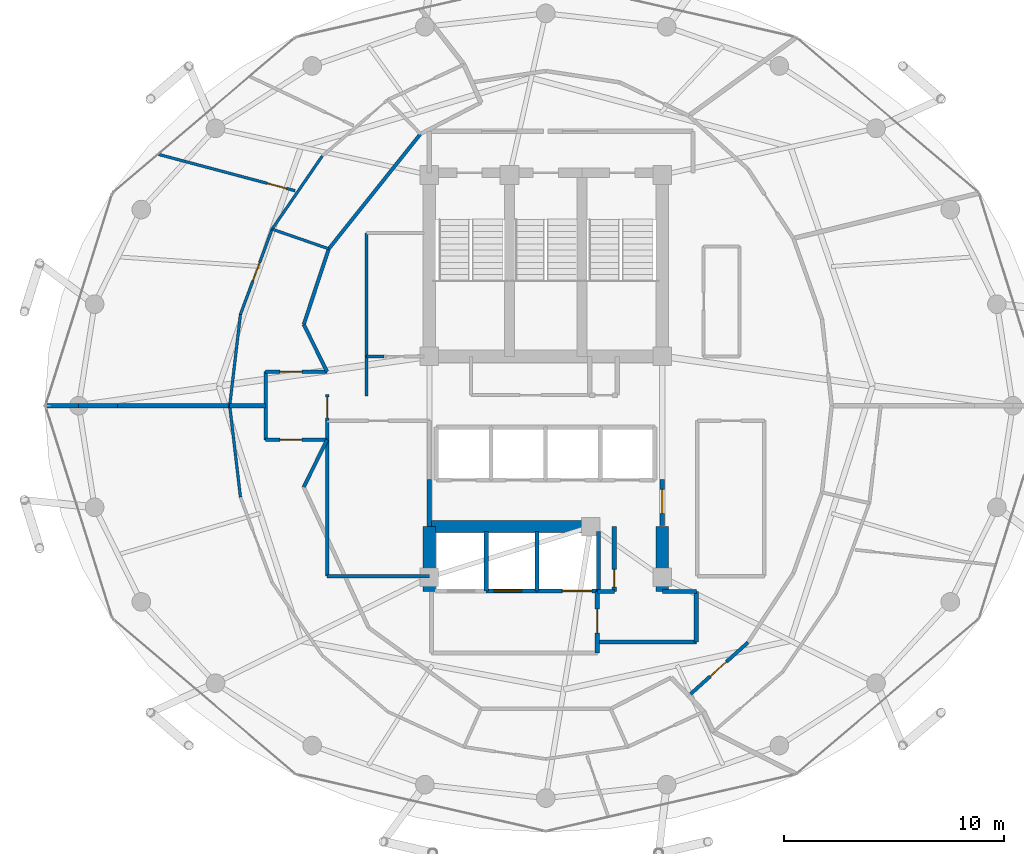
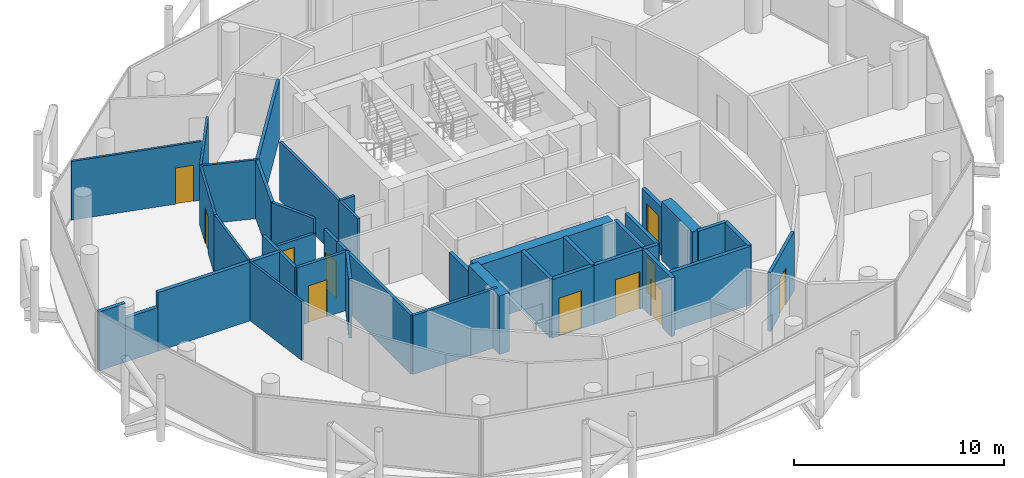
# One storey, part 23 of 28: 40 walls, 11 doors, 11 openings.
"""IFC4 building model written with IfcOpenShell, lengths in metres."""

from ifc_helpers import new_model, si_unit, direction, frame, frame_2d, origin, place, context, subcontext, project, spatial, rectangle, extrude, material, layer, layer_set, type_object, element, fill, save


model = new_model("IFC4")

# Units and contexts
model_context = context("Model", 3, precision=1e-05, world=origin(), true_north=direction((0.0, 1.0)))
body_context = subcontext(model_context, "Body", "Model", "MODEL_VIEW")
ifc_project = project(units=[si_unit("LENGTHUNIT", "METRE"), si_unit("AREAUNIT", "SQUARE_METRE"), si_unit("VOLUMEUNIT", "CUBIC_METRE"), si_unit("PLANEANGLEUNIT", "RADIAN"), si_unit("MASSUNIT", "GRAM", prefix="KILO")], contexts=[model_context])

# Site, building, storey
site_placement = place(None, origin())
site = spatial("IfcSite", under=ifc_project, at=site_placement, CompositionType="ELEMENT")
building_placement = place(site_placement, origin())
building = spatial("IfcBuilding", under=site, at=building_placement, Name="Nuhasar Tower", CompositionType="ELEMENT")
storey_placement = place(building_placement, frame((0.0, 0.0, 222.75)))
storey = spatial("IfcBuildingStorey", under=building, at=storey_placement, Name="L54", CompositionType="ELEMENT", Elevation=222.75)

# Walls
ifc_material_1 = material(Name="Concrete C55/67", Category="concrete")
ifc_layer_1 = layer(ifc_material_1, 0.550048828125)
ifc_layer_set_1 = layer_set([ifc_layer_1], Name="Concrete C55/67")
wall_type_1 = type_object("IfcWallType", Name="WL-CORE-550", PredefinedType="SHEAR", material=ifc_layer_set_1)
for number, where, z_axis, x_axis, name in (
    (1, (33.699951171875, 18.35009765625, 0.0), (0.0, 0.0, 1.0), (0.0, 1.0, 0.0), "L54 Core Shear Wall CW-SW CW-550"),
    (2, (44.300048828125, 18.35009765625, 0.0), (0.0, 0.0, 1.0), (0.0, 1.0, 0.0), "L54 Core Shear Wall CW-SE CW-550"),
):
    element("IfcWall", number, at=place(storey_placement, frame(where, z_axis=z_axis, x_axis=x_axis)), inside=storey, type_object=wall_type_1, Name=name, PredefinedType="SHEAR", context=body_context, shape_type="SweptSolid", body=[
        extrude(rectangle(XDim=2.949951171875, YDim=0.550048828125, at=frame_2d((1.47509765625, 0.0))), origin(), (0.0, 0.0, 1.0), 3.409912109375),
    ])
wall_1_placement = place(storey_placement, frame((33.699951171875, 21.300048828125, 0.0), z_axis=(0.0, 0.0, 1.0), x_axis=(1.0, 0.0, 0.0)))
element("IfcWall", 3, at=wall_1_placement, inside=storey, type_object=wall_type_1, Name="L54 Core Shear Wall CW-S1 CW-550", PredefinedType="SHEAR", context=body_context, shape_type="SweptSolid", body=[
    extrude(rectangle(XDim=7.550048828125, YDim=0.550048828125, at=frame_2d((3.77490234375, 0.0))), origin(), (0.0, 0.0, 1.0), 3.409912109375),
])
ifc_material_2 = material(Name="Gypsum Board", Category="gypsum")
ifc_layer_2 = layer(ifc_material_2, 0.159912109375)
ifc_layer_set_2 = layer_set([ifc_layer_2], Name="Gypsum Board")
wall_type_2 = type_object("IfcWallType", Name="WL-CORR-160", PredefinedType="PARTITIONING", material=ifc_layer_set_2)
wall_2_placement = place(storey_placement, frame((29.050048828125, 19.050048828125, 0.0), z_axis=(0.0, 0.0, 1.0), x_axis=(1.0, 0.0, 0.0)))
element("IfcWall", 4, at=wall_2_placement, inside=storey, type_object=wall_type_2, Name="L54 Interior Partition RECL-B1-S", PredefinedType="PARTITIONING", context=body_context, shape_type="SweptSolid", body=[
    extrude(rectangle(XDim=4.64990234375, YDim=0.159912109375, at=frame_2d((2.324951171875, 0.0))), origin(), (0.0, 0.0, 1.0), 3.409912109375),
])
wall_3_placement = place(storey_placement, frame((29.050048828125, 19.050048828125, 0.0), z_axis=(0.0, 0.0, 1.0), x_axis=(0.0, 1.0, 0.0)))
element("IfcWall", 5, at=wall_3_placement, inside=storey, type_object=wall_type_2, Name="L54 Interior Partition RECL-B1-W", PredefinedType="PARTITIONING", context=body_context, shape_type="SweptSolid", body=[
    extrude(rectangle(XDim=7.070068359375, YDim=0.159912109375, at=frame_2d((3.53515625, 0.0))), origin(), (0.0, 0.0, 1.0), 3.409912109375),
])

# Wall, opening, door
wall_4_placement = place(storey_placement, frame((29.050048828125, 26.1201171875, 0.0), z_axis=(0.0, 0.0, 1.0), x_axis=(0.0, 1.0, 0.0)))
wall_4 = element("IfcWall", 6, at=wall_4_placement, inside=storey, type_object=wall_type_2, Name="L54 Interior Partition WVEST-E", PredefinedType="PARTITIONING", context=body_context, shape_type="SweptSolid", body=[
    extrude(rectangle(XDim=1.199951171875, YDim=0.159912109375, at=frame_2d((0.60009765625, 0.0))), origin(), (0.0, 0.0, 1.0), 3.409912109375),
])
opening_1_placement = place(wall_4_placement, frame((0.125, 0.0, 0.0)))
opening_1 = element("IfcOpeningElement", 7, at=opening_1_placement, cuts=wall_4, Name="Opening DO-01", PredefinedType="OPENING", context=body_context, shape_type="SweptSolid", body=[
    extrude(rectangle(XDim=0.949951171875, YDim=2.14990234375, at=frame_2d((0.47509765625, 1.074951171875))), frame((0.0, 0.08984375, 0.0), z_axis=(0.0, -1.0, 0.0), x_axis=(1.0, 0.0, 0.0)), (0.0, 0.0, 1.0), 0.179931640625),
])
ifc_material_3 = material(Name="Timber Oak", Category="wood")
door_type_1 = type_object("IfcDoorType", Name="DR-OFFICE-FD30-950", OperationType="NOTDEFINED", PredefinedType="DOOR", material=ifc_material_3)
door_1_placement = place(opening_1_placement, origin())
door_1 = element("IfcDoor", 8, at=door_1_placement, inside=storey, type_object=door_type_1, Name="L54 West Arrival Foyer Core Door", OperationType="SINGLE_SWING_RIGHT", OverallHeight=2.14990234375, OverallWidth=0.949951171875, PredefinedType="DOOR", context=body_context, shape_type="SweptSolid", body=[
    extrude(rectangle(XDim=0.949951171875, YDim=2.14990234375, at=frame_2d((0.47509765625, 1.074951171875))), frame((0.0, 0.02490234375, 0.0), z_axis=(0.0, -1.0, 0.0), x_axis=(1.0, 0.0, 0.0)), (0.0, 0.0, 1.0), 0.050048828125),
])
fill(opening_1, door_1)

wall_5_placement = place(storey_placement, frame((48.198974609375, 16.031005859375, 0.0), z_axis=(0.0, 0.0, 1.0), x_axis=(-0.743813424218, -0.66838730535, 0.0)))
wall_5 = element("IfcWall", 9, at=wall_5_placement, inside=storey, type_object=wall_type_2, Name="L54 Interior Partition CORR-40", PredefinedType="PARTITIONING", context=body_context, shape_type="SweptSolid", body=[
    extrude(rectangle(XDim=3.6220703125, YDim=0.159912109375, at=frame_2d((1.81103515625, 0.0))), origin(), (0.0, 0.0, 1.0), 3.409912109375),
])
opening_2_placement = place(wall_5_placement, frame((1.31103515625, 0.0, 0.0)))
opening_2 = element("IfcOpeningElement", 10, at=opening_2_placement, cuts=wall_5, Name="Opening DU-02", PredefinedType="OPENING", context=body_context, shape_type="SweptSolid", body=[
    extrude(rectangle(XDim=1.0, YDim=2.14990234375, at=frame_2d((0.5, 1.074951171875))), frame((0.0, 0.08984375, 0.0), z_axis=(0.0, -1.0, 0.0), x_axis=(1.0, 0.0, 0.0)), (0.0, 0.0, 1.0), 0.179931640625),
])
door_type_2 = type_object("IfcDoorType", Name="DR-FLAT-FD60-1000", OperationType="NOTDEFINED", PredefinedType="DOOR", material=ifc_material_3)
door_2_placement = place(opening_2_placement, origin())
door_2 = element("IfcDoor", 11, at=door_2_placement, inside=storey, type_object=door_type_2, Name="L54 Three-Bed Apartment 01 Entrance Door", OperationType="SINGLE_SWING_RIGHT", OverallHeight=2.14990234375, OverallWidth=1.0, PredefinedType="DOOR", context=body_context, shape_type="SweptSolid", body=[
    extrude(rectangle(XDim=1.0, YDim=2.14990234375, at=frame_2d((0.5, 1.074951171875))), frame((0.0, 0.02490234375, 0.0), z_axis=(0.0, -1.0, 0.0), x_axis=(1.0, 0.0, 0.0)), (0.0, 0.0, 1.0), 0.050048828125),
])
fill(opening_2, door_2)

# Walls
wall_6_placement = place(storey_placement, frame((33.300048828125, 39.1669921875, 0.0), z_axis=(0.0, 0.0, 1.0), x_axis=(-0.623915746766, -0.781491612839, 0.0)))
element("IfcWall", 12, at=wall_6_placement, inside=storey, type_object=wall_type_2, Name="L54 Interior Partition UWEST-CORE-N2-16", PredefinedType="PARTITIONING", context=body_context, shape_type="SweptSolid", body=[
    extrude(rectangle(XDim=6.6884765625, YDim=0.159912109375, at=frame_2d((3.34423828125, 0.0))), origin(), (0.0, 0.0, 1.0), 3.409912109375),
])
wall_7_placement = place(storey_placement, frame((29.126953125, 33.93994140625, 0.0), z_axis=(0.0, 0.0, 1.0), x_axis=(-0.313985571683, -0.949427754374, 0.0)))
element("IfcWall", 13, at=wall_7_placement, inside=storey, type_object=wall_type_2, Name="L54 Interior Partition UWEST-CORE-N2-20", PredefinedType="PARTITIONING", context=body_context, shape_type="SweptSolid", body=[
    extrude(rectangle(XDim=3.627197265625, YDim=0.159912109375, at=frame_2d((1.8134765625, 0.0))), origin(), (0.0, 0.0, 1.0), 3.409912109375),
])

# Wall, opening, door
wall_8_placement = place(storey_placement, frame((26.25, 28.35009765625, 0.0), z_axis=(0.0, 0.0, 1.0), x_axis=(1.0, 0.0, 0.0)))
wall_8 = element("IfcWall", 14, at=wall_8_placement, inside=storey, type_object=wall_type_2, Name="L54 Interior Partition WVEST-N", PredefinedType="PARTITIONING", context=body_context, shape_type="SweptSolid", body=[
    extrude(rectangle(XDim=2.800048828125, YDim=0.159912109375, at=frame_2d((1.39990234375, 0.0))), origin(), (0.0, 0.0, 1.0), 2.550048828125),
])
opening_3_placement = place(wall_8_placement, frame((0.64990234375, 0.0, 0.0)))
opening_3 = element("IfcOpeningElement", 15, at=opening_3_placement, cuts=wall_8, Name="Opening DU-02", PredefinedType="OPENING", context=body_context, shape_type="SweptSolid", body=[
    extrude(rectangle(XDim=1.0, YDim=2.14990234375, at=frame_2d((0.5, 1.074951171875))), frame((0.0, 0.08984375, 0.0), z_axis=(0.0, -1.0, 0.0), x_axis=(1.0, 0.0, 0.0)), (0.0, 0.0, 1.0), 0.179931640625),
])
door_3_placement = place(opening_3_placement, origin())
door_3 = element("IfcDoor", 16, at=door_3_placement, inside=storey, type_object=door_type_2, Name="L54 North-West Sky Home Entrance", OperationType="SINGLE_SWING_LEFT", OverallHeight=2.14990234375, OverallWidth=1.0, PredefinedType="DOOR", context=body_context, shape_type="SweptSolid", body=[
    extrude(rectangle(XDim=1.0, YDim=2.14990234375, at=frame_2d((0.5, 1.074951171875))), frame((0.0, 0.02490234375, 0.0), z_axis=(0.0, -1.0, 0.0), x_axis=(1.0, 0.0, 0.0)), (0.0, 0.0, 1.0), 0.050048828125),
])
fill(opening_3, door_3)

wall_9_placement = place(storey_placement, frame((26.25, 25.25, 0.0), z_axis=(0.0, 0.0, 1.0), x_axis=(1.0, 0.0, 0.0)))
wall_9 = element("IfcWall", 17, at=wall_9_placement, inside=storey, type_object=wall_type_2, Name="L54 Interior Partition WVEST-S", PredefinedType="PARTITIONING", context=body_context, shape_type="SweptSolid", body=[
    extrude(rectangle(XDim=2.800048828125, YDim=0.159912109375, at=frame_2d((1.39990234375, 0.0))), origin(), (0.0, 0.0, 1.0), 3.409912109375),
])
opening_4_placement = place(wall_9_placement, frame((0.64990234375, 0.0, 0.0)))
opening_4 = element("IfcOpeningElement", 18, at=opening_4_placement, cuts=wall_9, Name="Opening DU-02", PredefinedType="OPENING", context=body_context, shape_type="SweptSolid", body=[
    extrude(rectangle(XDim=1.0, YDim=2.14990234375, at=frame_2d((0.5, 1.074951171875))), frame((0.0, 0.08984375, 0.0), z_axis=(0.0, -1.0, 0.0), x_axis=(1.0, 0.0, 0.0)), (0.0, 0.0, 1.0), 0.179931640625),
])
door_4_placement = place(opening_4_placement, origin())
door_4 = element("IfcDoor", 19, at=door_4_placement, inside=storey, type_object=door_type_2, Name="L54 South-West Sky Home Entrance", OperationType="SINGLE_SWING_LEFT", OverallHeight=2.14990234375, OverallWidth=1.0, PredefinedType="DOOR", context=body_context, shape_type="SweptSolid", body=[
    extrude(rectangle(XDim=1.0, YDim=2.14990234375, at=frame_2d((0.5, 1.074951171875))), frame((0.0, 0.02490234375, 0.0), z_axis=(0.0, -1.0, 0.0), x_axis=(1.0, 0.0, 0.0)), (0.0, 0.0, 1.0), 0.050048828125),
])
fill(opening_4, door_4)

# Walls
wall_10_placement = place(storey_placement, frame((26.25, 25.25, 0.0), z_axis=(0.0, 0.0, 1.0), x_axis=(0.0, 1.0, 0.0)))
element("IfcWall", 20, at=wall_10_placement, inside=storey, type_object=wall_type_2, Name="L54 Interior Partition WVEST-W", PredefinedType="PARTITIONING", context=body_context, shape_type="SweptSolid", body=[
    extrude(rectangle(XDim=3.10009765625, YDim=0.159912109375, at=frame_2d((1.550048828125, 0.0))), origin(), (0.0, 0.0, 1.0), 3.409912109375),
])
for number, where, z_axis, x_axis, name in (
    (21, (27.988037109375, 30.49609375, 0.0), (0.0, 0.0, 1.0), (0.443539160525, -0.896254993337, 0.0), "L54 Interior Partition WVEST-CN"),
    (22, (27.988037109375, 23.10400390625, 0.0), (0.0, 0.0, 1.0), (0.443539160525, 0.896254993337, 0.0), "L54 Interior Partition WVEST-CS"),
):
    element("IfcWall", number, at=place(storey_placement, frame(where, z_axis=z_axis, x_axis=x_axis)), inside=storey, type_object=wall_type_2, Name=name, PredefinedType="PARTITIONING", context=body_context, shape_type="SweptSolid", body=[
        extrude(rectangle(XDim=2.394287109375, YDim=0.159912109375, at=frame_2d((1.197265625, 0.0))), origin(), (0.0, 0.0, 1.0), 3.409912109375),
    ])
ifc_material_4 = material(Name="Concrete C45/55", Category="concrete")
ifc_layer_3 = layer(ifc_material_4, 0.199951171875)
ifc_layer_set_3 = layer_set([ifc_layer_3], Name="Concrete C45/55")
wall_type_3 = type_object("IfcWallType", Name="WL-LOBBY-200", PredefinedType="SOLIDWALL", material=ifc_layer_set_3)
wall_11_placement = place(storey_placement, frame((33.699951171875, 21.300048828125, 0.0), z_axis=(0.0, 0.0, 1.0), x_axis=(0.0, 1.0, 0.0)))
element("IfcWall", 23, at=wall_11_placement, inside=storey, type_object=wall_type_3, Name="L54 Interior Partition LLBH-W", PredefinedType="SOLIDWALL", context=body_context, shape_type="SweptSolid", body=[
    extrude(rectangle(XDim=2.14990234375, YDim=0.199951171875, at=frame_2d((1.074951171875, 0.0))), origin(), (0.0, 0.0, 1.0), 2.794921875),
])

# Wall, opening, door
wall_12_placement = place(storey_placement, frame((44.300048828125, 21.35009765625, 0.0), z_axis=(0.0, 0.0, 1.0), x_axis=(0.0, 1.0, 0.0)))
wall_12 = element("IfcWall", 24, at=wall_12_placement, inside=storey, type_object=wall_type_3, Name="L54 Interior Partition LLBH-E", PredefinedType="SOLIDWALL", context=body_context, shape_type="SweptSolid", body=[
    extrude(rectangle(XDim=2.099853515625, YDim=0.199951171875, at=frame_2d((1.0498046875, 0.0))), origin(), (0.0, 0.0, 1.0), 2.794921875),
])
opening_5_placement = place(wall_12_placement, frame((0.550048828125, 0.0, 0.0)))
opening_5 = element("IfcOpeningElement", 25, at=opening_5_placement, cuts=wall_12, Name="Opening DS-02", PredefinedType="OPENING", context=body_context, shape_type="SweptSolid", body=[
    extrude(rectangle(XDim=1.10009765625, YDim=2.14990234375, at=frame_2d((0.550048828125, 1.074951171875))), frame((0.0, 0.10986328125, 0.0), z_axis=(0.0, -1.0, 0.0), x_axis=(1.0, 0.0, 0.0)), (0.0, 0.0, 1.0), 0.219970703125),
])
ifc_material_5 = material(Name="Steel S355", Category="steel")
door_type_3 = type_object("IfcDoorType", Name="DR-FFL-FD120-1100", OperationType="NOTDEFINED", PredefinedType="DOOR", material=ifc_material_5)
door_5_placement = place(opening_5_placement, origin())
door_5 = element("IfcDoor", 26, at=door_5_placement, inside=storey, type_object=door_type_3, Name="L54 High-Rise Lobby East Door", OperationType="SINGLE_SWING_RIGHT", OverallHeight=2.14990234375, OverallWidth=1.10009765625, PredefinedType="DOOR", context=body_context, shape_type="SweptSolid", body=[
    extrude(rectangle(XDim=1.10009765625, YDim=2.14990234375, at=frame_2d((0.550048828125, 1.074951171875))), frame((0.0, 0.02490234375, 0.0), z_axis=(0.0, -1.0, 0.0), x_axis=(1.0, 0.0, 0.0)), (0.0, 0.0, 1.0), 0.050048828125),
])
fill(opening_5, door_5)

wall_13_placement = place(storey_placement, frame((41.35009765625, 15.550048828125, 0.0), z_axis=(0.0, 0.0, 1.0), x_axis=(0.0, 1.0, 0.0)))
wall_13 = element("IfcWall", 27, at=wall_13_placement, inside=storey, type_object=wall_type_3, Name="L54 Interior Partition FFL-E", PredefinedType="SOLIDWALL", context=body_context, shape_type="SweptSolid", body=[
    extrude(rectangle(XDim=2.800048828125, YDim=0.199951171875, at=frame_2d((1.39990234375, 0.0))), origin(), (0.0, 0.0, 1.0), 3.409912109375),
])
opening_6_placement = place(wall_13_placement, frame((0.89990234375, 0.0, 0.0)))
opening_6 = element("IfcOpeningElement", 28, at=opening_6_placement, cuts=wall_13, Name="Opening DS-02", PredefinedType="OPENING", context=body_context, shape_type="SweptSolid", body=[
    extrude(rectangle(XDim=1.10009765625, YDim=2.14990234375, at=frame_2d((0.550048828125, 1.074951171875))), frame((0.0, 0.10986328125, 0.0), z_axis=(0.0, -1.0, 0.0), x_axis=(1.0, 0.0, 0.0)), (0.0, 0.0, 1.0), 0.219970703125),
])
door_6_placement = place(opening_6_placement, origin())
door_6 = element("IfcDoor", 29, at=door_6_placement, inside=storey, type_object=door_type_3, Name="L54 Firefighting Lobby Door", OperationType="SINGLE_SWING_RIGHT", OverallHeight=2.14990234375, OverallWidth=1.10009765625, PredefinedType="DOOR", context=body_context, shape_type="SweptSolid", body=[
    extrude(rectangle(XDim=1.10009765625, YDim=2.14990234375, at=frame_2d((0.550048828125, 1.074951171875))), frame((0.0, 0.02490234375, 0.0), z_axis=(0.0, -1.0, 0.0), x_axis=(1.0, 0.0, 0.0)), (0.0, 0.0, 1.0), 0.050048828125),
])
fill(opening_6, door_6)

# Walls
wall_14_placement = place(storey_placement, frame((41.35009765625, 16.050048828125, 0.0), z_axis=(0.0, 0.0, 1.0), x_axis=(1.0, 0.0, 0.0)))
element("IfcWall", 30, at=wall_14_placement, inside=storey, type_object=wall_type_3, Name="L54 Interior Partition SVLV-S", PredefinedType="SOLIDWALL", context=body_context, shape_type="SweptSolid", body=[
    extrude(rectangle(XDim=4.5, YDim=0.199951171875, at=frame_2d((2.25, 0.0))), origin(), (0.0, 0.0, 1.0), 3.409912109375),
])
wall_15_placement = place(storey_placement, frame((45.85009765625, 16.050048828125, 0.0), z_axis=(0.0, 0.0, 1.0), x_axis=(0.0, 1.0, 0.0)))
element("IfcWall", 31, at=wall_15_placement, inside=storey, type_object=wall_type_3, Name="L54 Interior Partition SVLV-E", PredefinedType="SOLIDWALL", context=body_context, shape_type="SweptSolid", body=[
    extrude(rectangle(XDim=2.300048828125, YDim=0.199951171875, at=frame_2d((1.14990234375, 0.0))), origin(), (0.0, 0.0, 1.0), 3.409912109375),
])
wall_16_placement = place(storey_placement, frame((44.300048828125, 18.35009765625, 0.0), z_axis=(0.0, 0.0, 1.0), x_axis=(1.0, 0.0, 0.0)))
element("IfcWall", 32, at=wall_16_placement, inside=storey, type_object=wall_type_3, Name="L54 Interior Partition SVLV-N", PredefinedType="SOLIDWALL", context=body_context, shape_type="SweptSolid", body=[
    extrude(rectangle(XDim=1.550048828125, YDim=0.199951171875, at=frame_2d((0.77490234375, 0.0))), origin(), (0.0, 0.0, 1.0), 3.409912109375),
])
ifc_layer_4 = layer(ifc_material_2, 0.125)
ifc_layer_set_4 = layer_set([ifc_layer_4], Name="Gypsum Board")
wall_type_4 = type_object("IfcWallType", Name="WL-PART-125", PredefinedType="PARTITIONING", material=ifc_layer_set_4)
wall_17_placement = place(storey_placement, frame((29.126953125, 33.93994140625, 0.0), z_axis=(0.0, 0.0, 1.0), x_axis=(-0.944759436998, 0.327764559102, 0.0)))
element("IfcWall", 33, at=wall_17_placement, inside=storey, type_object=wall_type_4, Name="L54 Interior Partition USI-1-KD", PredefinedType="PARTITIONING", context=body_context, shape_type="SweptSolid", body=[
    extrude(rectangle(XDim=2.730712890625, YDim=0.125, at=frame_2d((1.365234375, 0.0))), origin(), (0.0, 0.0, 1.0), 3.409912109375),
])
wall_18_placement = place(storey_placement, frame((28.83203125, 38.1630859375, 0.0), z_axis=(0.0, 0.0, 1.0), x_axis=(-0.565994846929, -0.824408778004, 0.0)))
element("IfcWall", 34, at=wall_18_placement, inside=storey, type_object=wall_type_4, Name="L54 Interior Partition USM-1-K-18", PredefinedType="PARTITIONING", context=body_context, shape_type="SweptSolid", body=[
    extrude(rectangle(XDim=4.036865234375, YDim=0.125, at=frame_2d((2.0185546875, 0.0))), origin(), (0.0, 0.0, 1.0), 3.409912109375),
])

# Wall, opening, door
wall_19_placement = place(storey_placement, frame((25.110107421875, 30.958984375, 0.0), z_axis=(0.0, 0.0, 1.0), x_axis=(0.347625950087, 0.937633296564, 0.0)))
wall_19 = element("IfcWall", 35, at=wall_19_placement, inside=storey, type_object=wall_type_4, Name="L54 Interior Partition USM-1-D-20", PredefinedType="PARTITIONING", context=body_context, shape_type="SweptSolid", body=[
    extrude(rectangle(XDim=4.1337890625, YDim=0.125, at=frame_2d((2.06689453125, 0.0))), origin(), (0.0, 0.0, 1.0), 3.409912109375),
])
opening_7_placement = place(wall_19_placement, frame((1.616943359375, 0.0, 0.0)))
opening_7 = element("IfcOpeningElement", 36, at=opening_7_placement, cuts=wall_19, Name="Opening DR-01", PredefinedType="OPENING", context=body_context, shape_type="SweptSolid", body=[
    extrude(rectangle(XDim=0.89990234375, YDim=2.10009765625, at=frame_2d((0.449951171875, 1.050048828125))), frame((0.0, 0.072509765625, 0.0), z_axis=(0.0, -1.0, 0.0), x_axis=(1.0, 0.0, 0.0)), (0.0, 0.0, 1.0), 0.14501953125),
])
door_type_4 = type_object("IfcDoorType", Name="DR-ROOM-900", OperationType="NOTDEFINED", PredefinedType="DOOR", material=ifc_material_3)
door_7_placement = place(opening_7_placement, origin())
door_7 = element("IfcDoor", 37, at=door_7_placement, inside=storey, type_object=door_type_4, Name="L54 North-West Sky Home Living Door", OperationType="SINGLE_SWING_LEFT", OverallHeight=2.10009765625, OverallWidth=0.89990234375, PredefinedType="DOOR", context=body_context, shape_type="SweptSolid", body=[
    extrude(rectangle(XDim=0.89990234375, YDim=2.10009765625, at=frame_2d((0.449951171875, 1.050048828125))), frame((0.0, 0.02490234375, 0.0), z_axis=(0.0, -1.0, 0.0), x_axis=(1.0, 0.0, 0.0)), (0.0, 0.0, 1.0), 0.050048828125),
])
fill(opening_7, door_7)

# Wall
wall_20_placement = place(storey_placement, frame((25.110107421875, 30.958984375, 0.0), z_axis=(0.0, 0.0, 1.0), x_axis=(-0.117006991469, -0.993131091018, 0.0)))
element("IfcWall", 38, at=wall_20_placement, inside=storey, type_object=wall_type_4, Name="L54 Interior Partition USM-1-D-22", PredefinedType="PARTITIONING", context=body_context, shape_type="SweptSolid", body=[
    extrude(rectangle(XDim=4.187744140625, YDim=0.125, at=frame_2d((2.09375, 0.0))), origin(), (0.0, 0.0, 1.0), 3.409912109375),
])

# Wall, opening, door
wall_21_placement = place(storey_placement, frame((27.592041015625, 36.5830078125, 0.0), z_axis=(0.0, 0.0, 1.0), x_axis=(-0.966372641244, 0.257145714053, 0.0)))
wall_21 = element("IfcWall", 39, at=wall_21_placement, inside=storey, type_object=wall_type_4, Name="L54 Interior Partition USO-1-B2", PredefinedType="PARTITIONING", context=body_context, shape_type="SweptSolid", body=[
    extrude(rectangle(XDim=6.40869140625, YDim=0.125, at=frame_2d((3.204345703125, 0.0))), origin(), (0.0, 0.0, 1.0), 3.409912109375),
])
opening_8_placement = place(wall_21_placement, frame((0.39990234375, 0.0, 0.0)))
opening_8 = element("IfcOpeningElement", 40, at=opening_8_placement, cuts=wall_21, Name="Opening DR-01", PredefinedType="OPENING", context=body_context, shape_type="SweptSolid", body=[
    extrude(rectangle(XDim=0.89990234375, YDim=2.10009765625, at=frame_2d((0.449951171875, 1.050048828125))), frame((0.0, 0.072509765625, 0.0), z_axis=(0.0, -1.0, 0.0), x_axis=(1.0, 0.0, 0.0)), (0.0, 0.0, 1.0), 0.14501953125),
])
door_8_placement = place(opening_8_placement, origin())
door_8 = element("IfcDoor", 41, at=door_8_placement, inside=storey, type_object=door_type_4, Name="L54 North-West Sky Home Study Door", OperationType="SINGLE_SWING_LEFT", OverallHeight=2.10009765625, OverallWidth=0.89990234375, PredefinedType="DOOR", context=body_context, shape_type="SweptSolid", body=[
    extrude(rectangle(XDim=0.89990234375, YDim=2.10009765625, at=frame_2d((0.449951171875, 1.050048828125))), frame((0.0, 0.02490234375, 0.0), z_axis=(0.0, -1.0, 0.0), x_axis=(1.0, 0.0, 0.0)), (0.0, 0.0, 1.0), 0.050048828125),
])
fill(opening_8, door_8)

# Walls
wall_22_placement = place(storey_placement, frame((24.6201171875, 26.800048828125, 0.0), z_axis=(0.0, 0.0, 1.0), x_axis=(0.117006991469, -0.993131091018, 0.0)))
element("IfcWall", 42, at=wall_22_placement, inside=storey, type_object=wall_type_4, Name="L54 Interior Partition USM-2-D-24", PredefinedType="PARTITIONING", context=body_context, shape_type="SweptSolid", body=[
    extrude(rectangle(XDim=4.187744140625, YDim=0.125, at=frame_2d((2.09375, 0.0))), origin(), (0.0, 0.0, 1.0), 3.409912109375),
])
ifc_layer_5 = layer(ifc_material_4, 0.199951171875)
ifc_layer_set_5 = layer_set([ifc_layer_5], Name="Concrete C45/55")
wall_type_5 = type_object("IfcWallType", Name="WL-SHAFT-200", PredefinedType="SOLIDWALL", material=ifc_layer_set_5)
wall_23_placement = place(storey_placement, frame((36.300048828125, 18.3701171875, 0.0), z_axis=(0.0, 0.0, 1.0), x_axis=(0.0, 1.0, 0.0)))
element("IfcWall", 43, at=wall_23_placement, inside=storey, type_object=wall_type_5, Name="L54 Interior Partition SHF-FFL-01-E", PredefinedType="SOLIDWALL", context=body_context, shape_type="SweptSolid", body=[
    extrude(rectangle(XDim=2.7099609375, YDim=0.199951171875, at=frame_2d((1.35498046875, 0.0))), origin(), (0.0, 0.0, 1.0), 3.409912109375),
])

# Wall, opening, door
wall_24_placement = place(storey_placement, frame((36.27001953125, 18.3701171875, 0.0), z_axis=(0.0, 0.0, 1.0), x_axis=(1.0, 0.0, 0.0)))
wall_24 = element("IfcWall", 44, at=wall_24_placement, inside=storey, type_object=wall_type_5, Name="L54 Interior Partition SHF-FFL-02-S", PredefinedType="SOLIDWALL", context=body_context, shape_type="SweptSolid", body=[
    extrude(rectangle(XDim=2.35986328125, YDim=0.199951171875, at=frame_2d((1.179931640625, 0.0))), origin(), (0.0, 0.0, 1.0), 3.409912109375),
])
opening_9_placement = place(wall_24_placement, frame((0.3798828125, 0.0, 0.0)))
opening_9 = element("IfcOpeningElement", 45, at=opening_9_placement, cuts=wall_24, Name="Opening LD-F02", PredefinedType="OPENING", context=body_context, shape_type="SweptSolid", body=[
    extrude(rectangle(XDim=1.25, YDim=2.199951171875, at=frame_2d((0.625, 1.10009765625))), frame((0.0, 0.10986328125, 0.0), z_axis=(0.0, -1.0, 0.0), x_axis=(1.0, 0.0, 0.0)), (0.0, 0.0, 1.0), 0.219970703125),
])
ifc_material_6 = material(Name="Stainless Steel 316L", Category="steel")
door_type_5 = type_object("IfcDoorType", Name="LD-FFL-1250", OperationType="DOUBLE_DOOR_SLIDING", PredefinedType="DOOR", material=ifc_material_6)
door_9_placement = place(opening_9_placement, origin())
door_9 = element("IfcDoor", 46, at=door_9_placement, inside=storey, type_object=door_type_5, Name="L54 Lift Landing Door FFL-02", OperationType="DOUBLE_DOOR_SLIDING", OverallHeight=2.199951171875, OverallWidth=1.25, PredefinedType="DOOR", context=body_context, shape_type="SweptSolid", body=[
    extrude(rectangle(XDim=1.25, YDim=2.199951171875, at=frame_2d((0.625, 1.10009765625))), frame((0.0, 0.02490234375, 0.0), z_axis=(0.0, -1.0, 0.0), x_axis=(1.0, 0.0, 0.0)), (0.0, 0.0, 1.0), 0.050048828125),
])
fill(opening_9, door_9)

# Wall
wall_25_placement = place(storey_placement, frame((38.60009765625, 18.3701171875, 0.0), z_axis=(0.0, 0.0, 1.0), x_axis=(0.0, 1.0, 0.0)))
element("IfcWall", 47, at=wall_25_placement, inside=storey, type_object=wall_type_5, Name="L54 Interior Partition SHF-FFL-02-E", PredefinedType="SOLIDWALL", context=body_context, shape_type="SweptSolid", body=[
    extrude(rectangle(XDim=2.7099609375, YDim=0.199951171875, at=frame_2d((1.35498046875, 0.0))), origin(), (0.0, 0.0, 1.0), 3.409912109375),
])

# Wall, opening, door
wall_26_placement = place(storey_placement, frame((38.570068359375, 18.3701171875, 0.0), z_axis=(0.0, 0.0, 1.0), x_axis=(1.0, 0.0, 0.0)))
wall_26 = element("IfcWall", 48, at=wall_26_placement, inside=storey, type_object=wall_type_5, Name="L54 Interior Partition SHF-SVL-01-S", PredefinedType="SOLIDWALL", context=body_context, shape_type="SweptSolid", body=[
    extrude(rectangle(XDim=2.829833984375, YDim=0.199951171875, at=frame_2d((1.4150390625, 0.0))), origin(), (0.0, 0.0, 1.0), 3.409912109375),
])
opening_10_placement = place(wall_26_placement, frame((1.179931640625, 0.0, 0.0)))
opening_10 = element("IfcOpeningElement", 49, at=opening_10_placement, cuts=wall_26, Name="Opening LD-S01", PredefinedType="OPENING", context=body_context, shape_type="SweptSolid", body=[
    extrude(rectangle(XDim=1.35009765625, YDim=2.179931640625, at=frame_2d((0.675048828125, 1.08984375))), frame((0.0, 0.10986328125, 0.0), z_axis=(0.0, -1.0, 0.0), x_axis=(1.0, 0.0, 0.0)), (0.0, 0.0, 1.0), 0.219970703125),
])
door_type_6 = type_object("IfcDoorType", Name="LD-SVL-1350", OperationType="DOUBLE_DOOR_SLIDING", PredefinedType="DOOR", material=ifc_material_6)
door_10_placement = place(opening_10_placement, origin())
door_10 = element("IfcDoor", 50, at=door_10_placement, inside=storey, type_object=door_type_6, Name="L54 Lift Landing Door SVL-01", OperationType="DOUBLE_DOOR_SLIDING", OverallHeight=2.179931640625, OverallWidth=1.35009765625, PredefinedType="DOOR", context=body_context, shape_type="SweptSolid", body=[
    extrude(rectangle(XDim=1.35009765625, YDim=2.179931640625, at=frame_2d((0.675048828125, 1.08984375))), frame((0.0, 0.02490234375, 0.0), z_axis=(0.0, -1.0, 0.0), x_axis=(1.0, 0.0, 0.0)), (0.0, 0.0, 1.0), 0.050048828125),
])
fill(opening_10, door_10)

# Wall
wall_27_placement = place(storey_placement, frame((41.39990234375, 18.3701171875, 0.0), z_axis=(0.0, 0.0, 1.0), x_axis=(0.0, 1.0, 0.0)))
element("IfcWall", 51, at=wall_27_placement, inside=storey, type_object=wall_type_5, Name="L54 Interior Partition SHF-SVL-01-E", PredefinedType="SOLIDWALL", context=body_context, shape_type="SweptSolid", body=[
    extrude(rectangle(XDim=2.7099609375, YDim=0.199951171875, at=frame_2d((1.35498046875, 0.0))), origin(), (0.0, 0.0, 1.0), 3.409912109375),
])

# Wall, opening, door
wall_28_placement = place(storey_placement, frame((42.1201171875, 18.35009765625, 0.0), z_axis=(0.0, 0.0, 1.0), x_axis=(0.0, 1.0, 0.0)))
wall_28 = element("IfcWall", 52, at=wall_28_placement, inside=storey, type_object=wall_type_5, Name="L54 Interior Partition RSR-E", PredefinedType="SOLIDWALL", context=body_context, shape_type="SweptSolid", body=[
    extrude(rectangle(XDim=2.949951171875, YDim=0.199951171875, at=frame_2d((1.47509765625, 0.0))), origin(), (0.0, 0.0, 1.0), 3.409912109375),
])
opening_11_placement = place(wall_28_placement, frame((0.199951171875, 0.0, 0.0)))
opening_11 = element("IfcOpeningElement", 53, at=opening_11_placement, cuts=wall_28, Name="Opening DM-01", PredefinedType="OPENING", context=body_context, shape_type="SweptSolid", body=[
    extrude(rectangle(XDim=0.800048828125, YDim=2.050048828125, at=frame_2d((0.39990234375, 1.02490234375))), frame((0.0, 0.10986328125, 0.0), z_axis=(0.0, -1.0, 0.0), x_axis=(1.0, 0.0, 0.0)), (0.0, 0.0, 1.0), 0.219970703125),
])
door_type_7 = type_object("IfcDoorType", Name="DR-RISER-FD60-800", OperationType="NOTDEFINED", PredefinedType="DOOR", material=ifc_material_5)
door_11_placement = place(opening_11_placement, origin())
door_11 = element("IfcDoor", 54, at=door_11_placement, inside=storey, type_object=door_type_7, Name="L54 MEP Riser Access Door", OperationType="SINGLE_SWING_LEFT", OverallHeight=2.050048828125, OverallWidth=0.800048828125, PredefinedType="DOOR", context=body_context, shape_type="SweptSolid", body=[
    extrude(rectangle(XDim=0.800048828125, YDim=2.050048828125, at=frame_2d((0.39990234375, 1.02490234375))), frame((0.0, 0.02490234375, 0.0), z_axis=(0.0, -1.0, 0.0), x_axis=(1.0, 0.0, 0.0)), (0.0, 0.0, 1.0), 0.050048828125),
])
fill(opening_11, door_11)

# Walls
wall_29_placement = place(storey_placement, frame((41.35009765625, 18.35009765625, 0.0), z_axis=(0.0, 0.0, 1.0), x_axis=(1.0, 0.0, 0.0)))
element("IfcWall", 55, at=wall_29_placement, inside=storey, type_object=wall_type_5, Name="L54 Interior Partition RSR-S", PredefinedType="SOLIDWALL", context=body_context, shape_type="SweptSolid", body=[
    extrude(rectangle(XDim=0.77001953125, YDim=0.199951171875, at=frame_2d((0.385009765625, 0.0))), origin(), (0.0, 0.0, 1.0), 3.409912109375),
])
ifc_material_7 = material(Name="Concrete C40/50 precast", Category="concrete")
ifc_layer_6 = layer(ifc_material_7, 0.199951171875)
ifc_layer_set_6 = layer_set([ifc_layer_6], Name="Concrete C40/50 precast")
wall_type_6 = type_object("IfcWallType", Name="WL-UNIT-200", PredefinedType="PARTITIONING", material=ifc_layer_set_6)
wall_30_placement = place(storey_placement, frame((26.25, 26.800048828125, 0.0), z_axis=(0.0, 0.0, 1.0), x_axis=(-1.0, 0.0, 0.0)))
element("IfcWall", 56, at=wall_30_placement, inside=storey, type_object=wall_type_6, Name="L54 Interior Partition UWEST-PARTY-IN", PredefinedType="PARTITIONING", context=body_context, shape_type="SweptSolid", body=[
    extrude(rectangle(XDim=1.6298828125, YDim=0.199951171875, at=frame_2d((0.81494140625, 0.0))), origin(), (0.0, 0.0, 1.0), 3.409912109375),
])
wall_31_placement = place(storey_placement, frame((24.6201171875, 26.800048828125, 0.0), z_axis=(0.0, 0.0, 1.0), x_axis=(-1.0, 0.0, 0.0)))
element("IfcWall", 57, at=wall_31_placement, inside=storey, type_object=wall_type_6, Name="L54 Interior Partition UWEST-PARTY-OUT", PredefinedType="PARTITIONING", context=body_context, shape_type="SweptSolid", body=[
    extrude(rectangle(XDim=5.1162109375, YDim=0.199951171875, at=frame_2d((2.55810546875, 0.0))), origin(), (0.0, 0.0, 1.0), 3.409912109375),
])
wall_32_placement = place(storey_placement, frame((19.50390625, 26.800048828125, 0.0), z_axis=(0.0, 0.0, 1.0), x_axis=(-1.0, 0.0, 0.0)))
element("IfcWall", 58, at=wall_32_placement, inside=storey, type_object=wall_type_6, Name="L54 Interior Partition UWEST-PARTY-OUT", PredefinedType="PARTITIONING", context=body_context, shape_type="SweptSolid", body=[
    extrude(rectangle(XDim=1.767822265625, YDim=0.199951171875, at=frame_2d((0.8837890625, 0.0))), origin(), (0.0, 0.0, 1.0), 2.550048828125),
])
wall_33_placement = place(storey_placement, frame((17.736083984375, 26.800048828125, 0.0), z_axis=(0.0, 0.0, 1.0), x_axis=(-1.0, 0.0, 0.0)))
element("IfcWall", 59, at=wall_33_placement, inside=storey, type_object=wall_type_6, Name="L54 Interior Partition UWEST-PARTY-OUT", PredefinedType="PARTITIONING", context=body_context, shape_type="SweptSolid", body=[
    extrude(rectangle(XDim=1.461181640625, YDim=0.199951171875, at=frame_2d((0.73046875, 0.0))), origin(), (0.0, 0.0, 1.0), 3.409912109375),
])
ifc_layer_7 = layer(ifc_material_7, 0.139892578125)
ifc_layer_set_7 = layer_set([ifc_layer_7], Name="Concrete C40/50 precast")
wall_type_7 = type_object("IfcWallType", Name="WL-WET-140", PredefinedType="PARTITIONING", material=ifc_layer_set_7)
wall_34_placement = place(storey_placement, frame((30.85009765625, 27.239990234375, 0.0), z_axis=(0.0, 0.0, 1.0), x_axis=(0.0, 1.0, 0.0)))
element("IfcWall", 60, at=wall_34_placement, inside=storey, type_object=wall_type_7, Name="L54 Interior Partition K3-FOY-W", PredefinedType="PARTITIONING", context=body_context, shape_type="SweptSolid", body=[
    extrude(rectangle(XDim=1.81005859375, YDim=0.139892578125, at=frame_2d((0.905029296875, 0.0))), origin(), (0.0, 0.0, 1.0), 3.409912109375),
])
wall_35_placement = place(storey_placement, frame((30.85009765625, 29.050048828125, 0.0), z_axis=(0.0, 0.0, 1.0), x_axis=(1.0, 0.0, 0.0)))
element("IfcWall", 61, at=wall_35_placement, inside=storey, type_object=wall_type_7, Name="L54 Interior Partition K3-NW-S", PredefinedType="PARTITIONING", context=body_context, shape_type="SweptSolid", body=[
    extrude(rectangle(XDim=0.77978515625, YDim=0.139892578125, at=frame_2d((0.389892578125, 0.0))), origin(), (0.0, 0.0, 1.0), 3.409912109375),
])
wall_36_placement = place(storey_placement, frame((30.85009765625, 29.050048828125, 0.0), z_axis=(0.0, 0.0, 1.0), x_axis=(0.0, 1.0, 0.0)))
element("IfcWall", 62, at=wall_36_placement, inside=storey, type_object=wall_type_7, Name="L54 Interior Partition K3-NW-W", PredefinedType="PARTITIONING", context=body_context, shape_type="SweptSolid", body=[
    extrude(rectangle(XDim=5.599853515625, YDim=0.139892578125, at=frame_2d((2.7998046875, 0.0))), origin(), (0.0, 0.0, 1.0), 3.409912109375),
])

save(model, "model.ifc")
